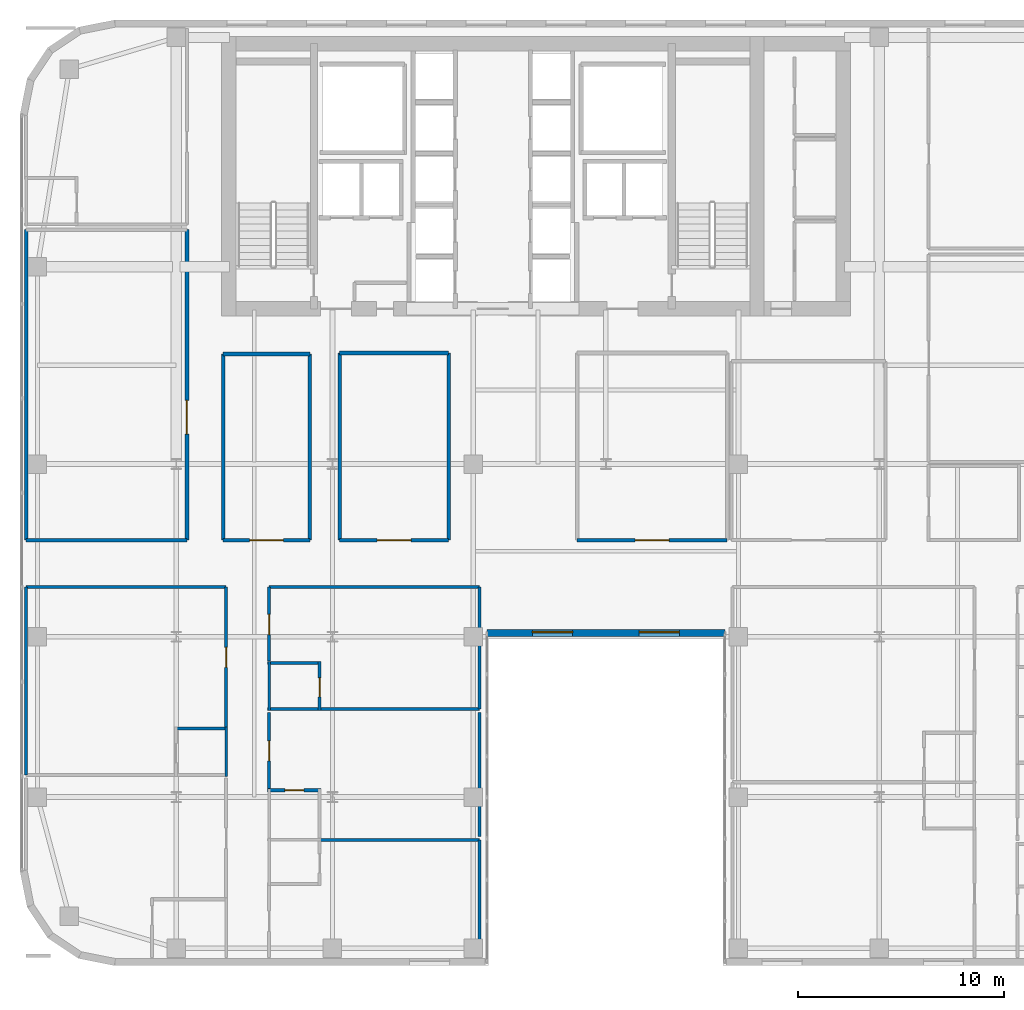
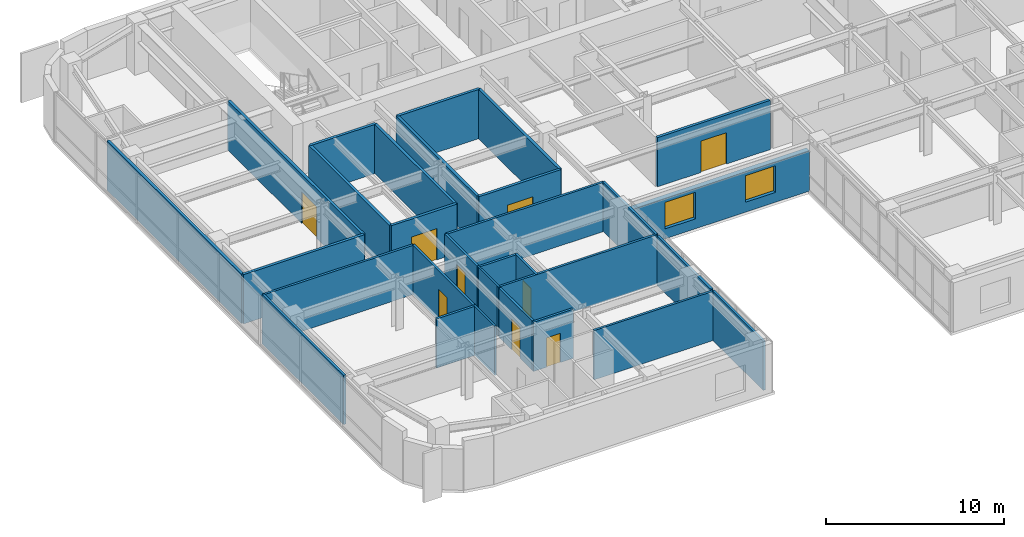
# One storey, part 24 of 30: 30 walls, 9 doors, 2 windows, 11 openings.
"""IFC4 building model written with IfcOpenShell, lengths in metres."""

from ifc_helpers import new_model, si_unit, direction, frame, frame_2d, origin, place, context, subcontext, project, spatial, rectangle, extrude, source, transform, mapped, material, layer, layer_set, type_object, type_shapes, element, fill, save


model = new_model("IFC4")

# Units and contexts
model_context = context("Model", 3, precision=1e-05, world=origin(), true_north=direction((0.0, 1.0)))
body_context = subcontext(model_context, "Body", "Model", "MODEL_VIEW")
ifc_project = project(units=[si_unit("LENGTHUNIT", "METRE"), si_unit("AREAUNIT", "SQUARE_METRE"), si_unit("VOLUMEUNIT", "CUBIC_METRE"), si_unit("PLANEANGLEUNIT", "RADIAN"), si_unit("MASSUNIT", "GRAM", prefix="KILO")], contexts=[model_context])

# Site, building, storey
site_placement = place(None, origin())
site = spatial("IfcSite", under=ifc_project, at=site_placement, CompositionType="ELEMENT")
building_placement = place(site_placement, origin())
building = spatial("IfcBuilding", under=site, at=building_placement, Name="Tolvann Quenvar Hotel", CompositionType="ELEMENT")
storey_placement = place(building_placement, frame((0.0, 0.0, 100.89990234375)))
storey = spatial("IfcBuildingStorey", under=building, at=storey_placement, Name="L25", CompositionType="ELEMENT", Elevation=100.89990234375)

# Wall, openings, windows
ifc_material_1 = material(Name="Kiln-fired red and buff architectural clay brickwork and terracotta masonry", Category="masonry")
ifc_layer_1 = layer(ifc_material_1, 0.35009765625)
ifc_layer_set_1 = layer_set([ifc_layer_1], Name="Kiln-fired red and buff architectural clay brickwork and terracotta masonry")
wall_type_1 = type_object("IfcWallType", Name="WALL_EXT_BRICK_350", PredefinedType="SOLIDWALL", material=ifc_layer_set_1)
wall_1_placement = place(storey_placement, frame((22.7099609375, 16.175048828125, 0.0), z_axis=(0.0, 0.0, 1.0), x_axis=(1.0, 0.0, 0.0)))
wall_1 = element("IfcWall", 1, at=wall_1_placement, inside=storey, type_object=wall_type_1, Name="Exterior Chicago Brick Wall L25-E06", PredefinedType="SOLIDWALL", context=body_context, shape_type="SweptSolid", body=[
    extrude(rectangle(XDim=11.580078125, YDim=0.35009765625, at=frame_2d((5.7900390625, 0.0))), origin(), (0.0, 0.0, 1.0), 2.748046875),
])
opening_1_placement = place(wall_1_placement, frame((2.219970703125, 0.0, 0.679931640625)))
opening_1 = element("IfcOpeningElement", 2, at=opening_1_placement, cuts=wall_1, Name="Opening W-10", PredefinedType="OPENING", context=body_context, shape_type="SweptSolid", body=[
    extrude(rectangle(XDim=1.949951171875, YDim=1.820068359375, at=frame_2d((0.97509765625, 0.91015625))), frame((0.0, 0.18505859375, 0.0), z_axis=(0.0, -1.0, 0.0), x_axis=(1.0, 0.0, 0.0)), (0.0, 0.0, 1.0), 0.3701171875),
])
opening_2_placement = place(wall_1_placement, frame((7.409912109375, 0.0, 0.679931640625)))
opening_2 = element("IfcOpeningElement", 3, at=opening_2_placement, cuts=wall_1, Name="Opening W-10", PredefinedType="OPENING", context=body_context, shape_type="SweptSolid", body=[
    extrude(rectangle(XDim=1.949951171875, YDim=1.820068359375, at=frame_2d((0.97509765625, 0.91015625))), frame((0.0, 0.18505859375, 0.0), z_axis=(0.0, -1.0, 0.0), x_axis=(1.0, 0.0, 0.0)), (0.0, 0.0, 1.0), 0.3701171875),
])
ifc_material_2 = material(Name="Thermally broken bronze-anodised aluminium frame with double low-E glazing", Category="aluminium")
window_type = type_object("IfcWindowType", Name="WIN_CLB_1950x1850", PartitioningType="DOUBLE_PANEL_VERTICAL", PredefinedType="WINDOW", material=ifc_material_2)
shared_shape_1 = source(origin(), body_context, "Body", "SweptSolid", [
    extrude(rectangle(XDim=1.949951171875, YDim=1.820068359375, at=frame_2d((0.97509765625, 0.91015625))), frame((0.0, 0.090087890625, 0.0), z_axis=(0.0, -1.0, 0.0), x_axis=(1.0, 0.0, 0.0)), (0.0, 0.0, 1.0), 0.06005859375),
])
type_shapes(window_type, [shared_shape_1])
window_1_placement = place(opening_1_placement, origin())
window_1 = element("IfcWindow", 4, at=window_1_placement, inside=storey, type_object=window_type, Name="Chicago Window W-10 (EW-L25-E06-W01)", OverallHeight=1.820068359375, OverallWidth=1.949951171875, PartitioningType="DOUBLE_PANEL_VERTICAL", PredefinedType="WINDOW", context=body_context, shape_type="MappedRepresentation", body=[
    mapped(shared_shape_1, transform((0.0, 0.0, 0.0), x_axis=(1.0, 0.0, 0.0), y_axis=(0.0, 1.0, 0.0), z_axis=(0.0, 0.0, 1.0), scale=1.0)),
])
fill(opening_1, window_1)
window_2_placement = place(opening_2_placement, origin())
window_2 = element("IfcWindow", 5, at=window_2_placement, inside=storey, type_object=window_type, Name="Chicago Window W-10 (EW-L25-E06-W02)", OverallHeight=1.820068359375, OverallWidth=1.949951171875, PartitioningType="DOUBLE_PANEL_VERTICAL", PredefinedType="WINDOW", context=body_context, shape_type="MappedRepresentation", body=[
    mapped(shared_shape_1, transform((0.0, 0.0, 0.0), x_axis=(1.0, 0.0, 0.0), y_axis=(0.0, 1.0, 0.0), z_axis=(0.0, 0.0, 1.0), scale=1.0)),
])
fill(opening_2, window_2)

# Wall, opening, door
ifc_material_3 = material(Name="Acoustic twin-stud fire-rated gypsum plasterboard partition")
ifc_layer_2 = layer(ifc_material_3, 0.179931640625)
ifc_layer_set_2 = layer_set([ifc_layer_2], Name="Acoustic twin-stud fire-rated gypsum plasterboard partition")
wall_type_2 = type_object("IfcWallType", Name="WALL_PART_ACOUSTIC_180", PredefinedType="PARTITIONING", material=ifc_layer_set_2)
wall_2_placement = place(storey_placement, frame((8.1201171875, 20.699951171875, 0.0), z_axis=(0.0, 0.0, 1.0), x_axis=(0.0, 1.0, 0.0)))
wall_2 = element("IfcWall", 6, at=wall_2_placement, inside=storey, type_object=wall_type_2, Name="Interior Partition PT-SPC-L25-SAL-ENT", PredefinedType="PARTITIONING", context=body_context, shape_type="SweptSolid", body=[
    extrude(rectangle(XDim=15.10009765625, YDim=0.179931640625, at=frame_2d((7.550048828125, 0.0))), origin(), (0.0, 0.0, 1.0), 3.3701171875),
])
opening_3_placement = place(wall_2_placement, frame((5.14990234375, 0.0, 0.0)))
opening_3 = element("IfcOpeningElement", 7, at=opening_3_placement, cuts=wall_2, Name="Opening AD-01", PredefinedType="OPENING", context=body_context, shape_type="SweptSolid", body=[
    extrude(rectangle(XDim=1.64990234375, YDim=2.14990234375, at=frame_2d((0.824951171875, 1.074951171875))), frame((0.0, 0.10009765625, 0.0), z_axis=(0.0, -1.0, 0.0), x_axis=(1.0, 0.0, 0.0)), (0.0, 0.0, 1.0), 0.199951171875),
])
ifc_material_4 = material(Name="Solid-core American oak acoustic fire door leaf in steel frame", Category="steel")
door_type_1 = type_object("IfcDoorType", Name="DOOR_SALON_1650", OperationType="NOTDEFINED", PredefinedType="DOOR", material=ifc_material_4)
shared_shape_2 = source(origin(), body_context, "Body", "SweptSolid", [
    extrude(rectangle(XDim=1.64990234375, YDim=2.14990234375, at=frame_2d((0.824951171875, 1.074951171875))), frame((0.0, 0.02490234375, 0.0), z_axis=(0.0, -1.0, 0.0), x_axis=(1.0, 0.0, 0.0)), (0.0, 0.0, 1.0), 0.050048828125),
])
type_shapes(door_type_1, [shared_shape_2])
door_1_placement = place(opening_3_placement, origin())
door_1 = element("IfcDoor", 8, at=door_1_placement, inside=storey, type_object=door_type_1, Name="Interior Door DOOR-SPC-L25-SAL", OperationType="DOUBLE_DOOR_SINGLE_SWING", OverallHeight=2.14990234375, OverallWidth=1.64990234375, PredefinedType="DOOR", context=body_context, shape_type="MappedRepresentation", body=[
    mapped(shared_shape_2, transform((0.0, 0.0, 0.0), x_axis=(1.0, 0.0, 0.0), y_axis=(0.0, 1.0, 0.0), z_axis=(0.0, 0.0, 1.0), scale=1.0)),
])
fill(opening_3, door_1)

# Walls
wall_3_placement = place(storey_placement, frame((0.300048828125, 20.699951171875, 0.0), z_axis=(0.0, 0.0, 1.0), x_axis=(1.0, 0.0, 0.0)))
element("IfcWall", 9, at=wall_3_placement, inside=storey, type_object=wall_type_2, Name="Interior Partition PT-SPC-L25-SAL-S", PredefinedType="PARTITIONING", context=body_context, shape_type="SweptSolid", body=[
    extrude(rectangle(XDim=7.820068359375, YDim=0.179931640625, at=frame_2d((3.91015625, 0.0))), origin(), (0.0, 0.0, 1.0), 3.3701171875),
])
wall_4_placement = place(storey_placement, frame((0.300048828125, 20.699951171875, 0.0), z_axis=(0.0, 0.0, 1.0), x_axis=(0.0, 1.0, 0.0)))
element("IfcWall", 10, at=wall_4_placement, inside=storey, type_object=wall_type_2, Name="Interior Partition PT-SPC-L25-SAL-W", PredefinedType="PARTITIONING", context=body_context, shape_type="SweptSolid", body=[
    extrude(rectangle(XDim=15.10009765625, YDim=0.179931640625, at=frame_2d((7.550048828125, 0.0))), origin(), (0.0, 0.0, 1.0), 3.3701171875),
])

# Wall, opening, door
wall_5_placement = place(storey_placement, frame((9.8798828125, 20.699951171875, 0.0), z_axis=(0.0, 0.0, 1.0), x_axis=(1.0, 0.0, 0.0)))
wall_5 = element("IfcWall", 11, at=wall_5_placement, inside=storey, type_object=wall_type_2, Name="Interior Partition PT-SPC-L25-MSP-W-S", PredefinedType="PARTITIONING", context=body_context, shape_type="SweptSolid", body=[
    extrude(rectangle(XDim=4.22021484375, YDim=0.179931640625, at=frame_2d((2.110107421875, 0.0))), origin(), (0.0, 0.0, 1.0), 3.3701171875),
])
opening_4_placement = place(wall_5_placement, frame((1.284912109375, 0.0, 0.0)))
opening_4 = element("IfcOpeningElement", 12, at=opening_4_placement, cuts=wall_5, Name="Opening AD-01", PredefinedType="OPENING", context=body_context, shape_type="SweptSolid", body=[
    extrude(rectangle(XDim=1.64990234375, YDim=2.14990234375, at=frame_2d((0.824951171875, 1.074951171875))), frame((0.0, 0.10009765625, 0.0), z_axis=(0.0, -1.0, 0.0), x_axis=(1.0, 0.0, 0.0)), (0.0, 0.0, 1.0), 0.199951171875),
])
door_2_placement = place(opening_4_placement, origin())
door_2 = element("IfcDoor", 13, at=door_2_placement, inside=storey, type_object=door_type_1, Name="Interior Door DOOR-SPC-L25-MSP-W", OperationType="DOUBLE_DOOR_SINGLE_SWING", OverallHeight=2.14990234375, OverallWidth=1.64990234375, PredefinedType="DOOR", context=body_context, shape_type="MappedRepresentation", body=[
    mapped(shared_shape_2, transform((0.0, 0.0, 0.0), x_axis=(1.0, 0.0, 0.0), y_axis=(0.0, 1.0, 0.0), z_axis=(0.0, 0.0, 1.0), scale=1.0)),
])
fill(opening_4, door_2)

# Walls
wall_6_placement = place(storey_placement, frame((9.8798828125, 29.75, 0.0), z_axis=(0.0, 0.0, 1.0), x_axis=(1.0, 0.0, 0.0)))
element("IfcWall", 14, at=wall_6_placement, inside=storey, type_object=wall_type_2, Name="Interior Partition PT-SPC-L25-MSP-W-N", PredefinedType="PARTITIONING", context=body_context, shape_type="SweptSolid", body=[
    extrude(rectangle(XDim=4.22021484375, YDim=0.179931640625, at=frame_2d((2.110107421875, 0.0))), origin(), (0.0, 0.0, 1.0), 3.3701171875),
])
for number, where, z_axis, x_axis, name in (
    (15, (9.8798828125, 20.699951171875, 0.0), (0.0, 0.0, 1.0), (0.0, 1.0, 0.0), "Interior Partition PT-SPC-L25-MSP-W-W"),
    (16, (14.10009765625, 20.699951171875, 0.0), (0.0, 0.0, 1.0), (0.0, 1.0, 0.0), "Interior Partition PT-SPC-L25-MSP-W-E"),
):
    element("IfcWall", number, at=place(storey_placement, frame(where, z_axis=z_axis, x_axis=x_axis)), inside=storey, type_object=wall_type_2, Name=name, PredefinedType="PARTITIONING", context=body_context, shape_type="SweptSolid", body=[
        extrude(rectangle(XDim=9.050048828125, YDim=0.179931640625, at=frame_2d((4.52490234375, 0.0))), origin(), (0.0, 0.0, 1.0), 3.3701171875),
    ])

# Wall, opening, door
wall_7_placement = place(storey_placement, frame((27.10009765625, 20.699951171875, 0.0), z_axis=(0.0, 0.0, 1.0), x_axis=(1.0, 0.0, 0.0)))
wall_7 = element("IfcWall", 17, at=wall_7_placement, inside=storey, type_object=wall_type_2, Name="Interior Partition PT-SPC-L25-MSP-C-S", PredefinedType="PARTITIONING", context=body_context, shape_type="SweptSolid", body=[
    extrude(rectangle(XDim=7.2998046875, YDim=0.179931640625, at=frame_2d((3.64990234375, 0.0))), origin(), (0.0, 0.0, 1.0), 3.3701171875),
])
opening_5_placement = place(wall_7_placement, frame((2.824951171875, 0.0, 0.0)))
opening_5 = element("IfcOpeningElement", 18, at=opening_5_placement, cuts=wall_7, Name="Opening AD-01", PredefinedType="OPENING", context=body_context, shape_type="SweptSolid", body=[
    extrude(rectangle(XDim=1.64990234375, YDim=2.14990234375, at=frame_2d((0.824951171875, 1.074951171875))), frame((0.0, 0.10009765625, 0.0), z_axis=(0.0, -1.0, 0.0), x_axis=(1.0, 0.0, 0.0)), (0.0, 0.0, 1.0), 0.199951171875),
])
door_3_placement = place(opening_5_placement, origin())
door_3 = element("IfcDoor", 19, at=door_3_placement, inside=storey, type_object=door_type_1, Name="Interior Door DOOR-SPC-L25-MSP-C", OperationType="DOUBLE_DOOR_SINGLE_SWING", OverallHeight=2.14990234375, OverallWidth=1.64990234375, PredefinedType="DOOR", context=body_context, shape_type="MappedRepresentation", body=[
    mapped(shared_shape_2, transform((0.0, 0.0, 0.0), x_axis=(1.0, 0.0, 0.0), y_axis=(0.0, 1.0, 0.0), z_axis=(0.0, 0.0, 1.0), scale=1.0)),
])
fill(opening_5, door_3)

wall_8_placement = place(storey_placement, frame((15.550048828125, 20.699951171875, 0.0), z_axis=(0.0, 0.0, 1.0), x_axis=(1.0, 0.0, 0.0)))
wall_8 = element("IfcWall", 20, at=wall_8_placement, inside=storey, type_object=wall_type_2, Name="Interior Partition PT-SPC-L25-MSP-N-S", PredefinedType="PARTITIONING", context=body_context, shape_type="SweptSolid", body=[
    extrude(rectangle(XDim=5.300048828125, YDim=0.179931640625, at=frame_2d((2.64990234375, 0.0))), origin(), (0.0, 0.0, 1.0), 3.3701171875),
])
opening_6_placement = place(wall_8_placement, frame((1.824951171875, 0.0, 0.0)))
opening_6 = element("IfcOpeningElement", 21, at=opening_6_placement, cuts=wall_8, Name="Opening AD-01", PredefinedType="OPENING", context=body_context, shape_type="SweptSolid", body=[
    extrude(rectangle(XDim=1.64990234375, YDim=2.14990234375, at=frame_2d((0.824951171875, 1.074951171875))), frame((0.0, 0.10009765625, 0.0), z_axis=(0.0, -1.0, 0.0), x_axis=(1.0, 0.0, 0.0)), (0.0, 0.0, 1.0), 0.199951171875),
])
door_4_placement = place(opening_6_placement, origin())
door_4 = element("IfcDoor", 22, at=door_4_placement, inside=storey, type_object=door_type_1, Name="Interior Door DOOR-SPC-L25-MSP-N", OperationType="DOUBLE_DOOR_SINGLE_SWING", OverallHeight=2.14990234375, OverallWidth=1.64990234375, PredefinedType="DOOR", context=body_context, shape_type="MappedRepresentation", body=[
    mapped(shared_shape_2, transform((0.0, 0.0, 0.0), x_axis=(1.0, 0.0, 0.0), y_axis=(0.0, 1.0, 0.0), z_axis=(0.0, 0.0, 1.0), scale=1.0)),
])
fill(opening_6, door_4)

# Walls
wall_9_placement = place(storey_placement, frame((15.550048828125, 29.800048828125, 0.0), z_axis=(0.0, 0.0, 1.0), x_axis=(1.0, 0.0, 0.0)))
element("IfcWall", 23, at=wall_9_placement, inside=storey, type_object=wall_type_2, Name="Interior Partition PT-SPC-L25-MSP-N-N", PredefinedType="PARTITIONING", context=body_context, shape_type="SweptSolid", body=[
    extrude(rectangle(XDim=5.300048828125, YDim=0.179931640625, at=frame_2d((2.64990234375, 0.0))), origin(), (0.0, 0.0, 1.0), 3.3701171875),
])
for number, where, z_axis, x_axis, name in (
    (24, (15.550048828125, 20.699951171875, 0.0), (0.0, 0.0, 1.0), (0.0, 1.0, 0.0), "Interior Partition PT-SPC-L25-MSP-N-W"),
    (25, (20.85009765625, 20.699951171875, 0.0), (0.0, 0.0, 1.0), (0.0, 1.0, 0.0), "Interior Partition PT-SPC-L25-MSP-N-E"),
):
    element("IfcWall", number, at=place(storey_placement, frame(where, z_axis=z_axis, x_axis=x_axis)), inside=storey, type_object=wall_type_2, Name=name, PredefinedType="PARTITIONING", context=body_context, shape_type="SweptSolid", body=[
        extrude(rectangle(XDim=9.10009765625, YDim=0.179931640625, at=frame_2d((4.550048828125, 0.0))), origin(), (0.0, 0.0, 1.0), 3.3701171875),
    ])
ifc_material_5 = material(Name="Moisture-resistant acoustic plumbing wall assembly")
ifc_layer_3 = layer(ifc_material_5, 0.1201171875)
ifc_layer_set_3 = layer_set([ifc_layer_3], Name="Moisture-resistant acoustic plumbing wall assembly")
wall_type_3 = type_object("IfcWallType", Name="WALL_PART_BATH_120", PredefinedType="PLUMBINGWALL", material=ifc_layer_set_3)
for number, where, z_axis, x_axis, name in (
    (26, (10.030029296875, 9.2099609375, 0.0), (0.0, 0.0, 1.0), (0.0, 1.0, 0.0), "Non-Rated Plumbing Partition PT-SPC-L25-ENS-WO02-E"),
    (27, (12.1201171875, 12.409912109375, 0.0), (0.0, 0.0, 1.0), (0.0, 1.0, 0.0), "Non-Rated Plumbing Partition PT-SPC-L25-ENS-WI03-W"),
):
    element("IfcWall", number, at=place(storey_placement, frame(where, z_axis=z_axis, x_axis=x_axis)), inside=storey, type_object=wall_type_3, Name=name, PredefinedType="PLUMBINGWALL", context=body_context, shape_type="SweptSolid", body=[
        extrude(rectangle(XDim=2.39013671875, YDim=0.1201171875, at=frame_2d((1.195068359375, 0.0))), origin(), (0.0, 0.0, 1.0), 3.3701171875),
    ])
ifc_layer_4 = layer(ifc_material_3, 0.14990234375)
ifc_layer_set_4 = layer_set([ifc_layer_4], Name="Acoustic twin-stud fire-rated gypsum plasterboard partition")
wall_type_4 = type_object("IfcWallType", Name="WALL_PART_SUITE_150", PredefinedType="PARTITIONING", material=ifc_layer_set_4)
wall_10_placement = place(storey_placement, frame((7.510009765625, 11.530029296875, 0.0), z_axis=(0.0, 0.0, 1.0), x_axis=(1.0, 0.0, 0.0)))
element("IfcWall", 28, at=wall_10_placement, inside=storey, type_object=wall_type_4, Name="Interior Partition PT-SPC-L25-ENS-WO02-N", PredefinedType="PARTITIONING", context=body_context, shape_type="SweptSolid", body=[
    extrude(rectangle(XDim=2.590087890625, YDim=0.14990234375, at=frame_2d((1.294921875, 0.0))), origin(), (0.0, 0.0, 1.0), 3.3701171875),
])

# Wall, opening, door
wall_11_placement = place(storey_placement, frame((12.050048828125, 8.530029296875, 0.0), z_axis=(0.0, 0.0, 1.0), x_axis=(1.0, 0.0, 0.0)))
wall_11 = element("IfcWall", 29, at=wall_11_placement, inside=storey, type_object=wall_type_4, Name="Interior Partition PT-SPC-L25-ENS-WI02-N", PredefinedType="PARTITIONING", context=body_context, shape_type="SweptSolid", body=[
    extrude(rectangle(XDim=2.58984375, YDim=0.14990234375, at=frame_2d((1.294921875, 0.0))), origin(), (0.0, 0.0, 1.0), 3.3701171875),
])
opening_7_placement = place(wall_11_placement, frame((0.8349609375, 0.0, 0.0)))
opening_7 = element("IfcOpeningElement", 30, at=opening_7_placement, cuts=wall_11, Name="Opening WD-01", PredefinedType="OPENING", context=body_context, shape_type="SweptSolid", body=[
    extrude(rectangle(XDim=0.919921875, YDim=2.010009765625, at=frame_2d((0.4599609375, 1.0048828125))), frame((0.0, 0.0849609375, 0.0), z_axis=(0.0, -1.0, 0.0), x_axis=(1.0, 0.0, 0.0)), (0.0, 0.0, 1.0), 0.169921875),
])
door_type_2 = type_object("IfcDoorType", Name="DOOR_WC_920", OperationType="NOTDEFINED", PredefinedType="DOOR", material=ifc_material_4)
shared_shape_3 = source(origin(), body_context, "Body", "SweptSolid", [
    extrude(rectangle(XDim=0.919921875, YDim=2.010009765625, at=frame_2d((0.4599609375, 1.0048828125))), frame((0.0, 0.02490234375, 0.0), z_axis=(0.0, -1.0, 0.0), x_axis=(1.0, 0.0, 0.0)), (0.0, 0.0, 1.0), 0.050048828125),
])
type_shapes(door_type_2, [shared_shape_3])
door_5_placement = place(opening_7_placement, origin())
door_5 = element("IfcDoor", 31, at=door_5_placement, inside=storey, type_object=door_type_2, Name="Interior Door DOOR-SPC-L25-ENS-WI02", OperationType="SINGLE_SWING_RIGHT", OverallHeight=2.010009765625, OverallWidth=0.919921875, PredefinedType="DOOR", context=body_context, shape_type="MappedRepresentation", body=[
    mapped(shared_shape_3, transform((0.0, 0.0, 0.0), x_axis=(1.0, 0.0, 0.0), y_axis=(0.0, 1.0, 0.0), z_axis=(0.0, 0.0, 1.0), scale=1.0)),
])
fill(opening_7, door_5)

wall_12_placement = place(storey_placement, frame((14.570068359375, 12.409912109375, 0.0), z_axis=(0.0, 0.0, 1.0), x_axis=(0.0, 1.0, 0.0)))
wall_12 = element("IfcWall", 32, at=wall_12_placement, inside=storey, type_object=wall_type_4, Name="Interior Partition PT-SPC-L25-ENS-WI03-ENT", PredefinedType="PARTITIONING", context=body_context, shape_type="SweptSolid", body=[
    extrude(rectangle(XDim=2.39013671875, YDim=0.14990234375, at=frame_2d((1.195068359375, 0.0))), origin(), (0.0, 0.0, 1.0), 3.3701171875),
])
opening_8_placement = place(wall_12_placement, frame((0.6650390625, 0.0, 0.0)))
opening_8 = element("IfcOpeningElement", 33, at=opening_8_placement, cuts=wall_12, Name="Opening WD-01", PredefinedType="OPENING", context=body_context, shape_type="SweptSolid", body=[
    extrude(rectangle(XDim=0.919921875, YDim=2.010009765625, at=frame_2d((0.4599609375, 1.0048828125))), frame((0.0, 0.0849609375, 0.0), z_axis=(0.0, -1.0, 0.0), x_axis=(1.0, 0.0, 0.0)), (0.0, 0.0, 1.0), 0.169921875),
])
door_6_placement = place(opening_8_placement, origin())
door_6 = element("IfcDoor", 34, at=door_6_placement, inside=storey, type_object=door_type_2, Name="Interior Door DOOR-SPC-L25-ENS-WI03", OperationType="SINGLE_SWING_LEFT", OverallHeight=2.010009765625, OverallWidth=0.919921875, PredefinedType="DOOR", context=body_context, shape_type="MappedRepresentation", body=[
    mapped(shared_shape_3, transform((0.0, 0.0, 0.0), x_axis=(1.0, 0.0, 0.0), y_axis=(0.0, 1.0, 0.0), z_axis=(0.0, 0.0, 1.0), scale=1.0)),
])
fill(opening_8, door_6)

# Walls
wall_13_placement = place(storey_placement, frame((12.050048828125, 12.47998046875, 0.0), z_axis=(0.0, 0.0, 1.0), x_axis=(1.0, 0.0, 0.0)))
element("IfcWall", 35, at=wall_13_placement, inside=storey, type_object=wall_type_4, Name="Interior Partition PT-SPC-L25-ENS-WI03-S", PredefinedType="PARTITIONING", context=body_context, shape_type="SweptSolid", body=[
    extrude(rectangle(XDim=10.300048828125, YDim=0.14990234375, at=frame_2d((5.14990234375, 0.0))), origin(), (0.0, 0.0, 1.0), 3.3701171875),
])
wall_14_placement = place(storey_placement, frame((12.050048828125, 14.72998046875, 0.0), z_axis=(0.0, 0.0, 1.0), x_axis=(1.0, 0.0, 0.0)))
element("IfcWall", 36, at=wall_14_placement, inside=storey, type_object=wall_type_4, Name="Interior Partition PT-SPC-L25-ENS-WI03-N", PredefinedType="PARTITIONING", context=body_context, shape_type="SweptSolid", body=[
    extrude(rectangle(XDim=2.58984375, YDim=0.14990234375, at=frame_2d((1.294921875, 0.0))), origin(), (0.0, 0.0, 1.0), 3.3701171875),
])

# Wall, opening, door
wall_15_placement = place(storey_placement, frame((10.030029296875, 11.610107421875, 0.0), z_axis=(0.0, 0.0, 1.0), x_axis=(0.0, 1.0, 0.0)))
wall_15 = element("IfcWall", 37, at=wall_15_placement, inside=storey, type_object=wall_type_4, Name="Interior Partition PT-SPC-L25-RM-WO02-ENT", PredefinedType="PARTITIONING", context=body_context, shape_type="SweptSolid", body=[
    extrude(rectangle(XDim=6.809814453125, YDim=0.14990234375, at=frame_2d((3.40478515625, 0.0))), origin(), (0.0, 0.0, 1.0), 3.3701171875),
])
opening_9_placement = place(wall_15_placement, frame((2.89501953125, 0.0, 0.0)))
opening_9 = element("IfcOpeningElement", 38, at=opening_9_placement, cuts=wall_15, Name="Opening SD-01", PredefinedType="OPENING", context=body_context, shape_type="SweptSolid", body=[
    extrude(rectangle(XDim=0.97998046875, YDim=2.1201171875, at=frame_2d((0.489990234375, 1.06005859375))), frame((0.0, 0.0849609375, 0.0), z_axis=(0.0, -1.0, 0.0), x_axis=(1.0, 0.0, 0.0)), (0.0, 0.0, 1.0), 0.169921875),
])
door_type_3 = type_object("IfcDoorType", Name="DOOR_SUITE_980", OperationType="NOTDEFINED", PredefinedType="DOOR", material=ifc_material_4)
shared_shape_4 = source(origin(), body_context, "Body", "SweptSolid", [
    extrude(rectangle(XDim=0.97998046875, YDim=2.1201171875, at=frame_2d((0.489990234375, 1.06005859375))), frame((0.0, 0.02490234375, 0.0), z_axis=(0.0, -1.0, 0.0), x_axis=(1.0, 0.0, 0.0)), (0.0, 0.0, 1.0), 0.050048828125),
])
type_shapes(door_type_3, [shared_shape_4])
door_7_placement = place(opening_9_placement, origin())
door_7 = element("IfcDoor", 39, at=door_7_placement, inside=storey, type_object=door_type_3, Name="Interior Door DOOR-SPC-L25-RM-WO02", OperationType="SINGLE_SWING_LEFT", OverallHeight=2.1201171875, OverallWidth=0.97998046875, PredefinedType="DOOR", context=body_context, shape_type="MappedRepresentation", body=[
    mapped(shared_shape_4, transform((0.0, 0.0, 0.0), x_axis=(1.0, 0.0, 0.0), y_axis=(0.0, 1.0, 0.0), z_axis=(0.0, 0.0, 1.0), scale=1.0)),
])
fill(opening_9, door_7)

# Walls
wall_16_placement = place(storey_placement, frame((0.300048828125, 18.419921875, 0.0), z_axis=(0.0, 0.0, 1.0), x_axis=(1.0, 0.0, 0.0)))
element("IfcWall", 40, at=wall_16_placement, inside=storey, type_object=wall_type_4, Name="Interior Partition PT-SPC-L25-RM-WO02-E5", PredefinedType="PARTITIONING", context=body_context, shape_type="SweptSolid", body=[
    extrude(rectangle(XDim=9.72998046875, YDim=0.14990234375, at=frame_2d((4.864990234375, 0.0))), origin(), (0.0, 0.0, 1.0), 3.3701171875),
])
wall_17_placement = place(storey_placement, frame((0.300048828125, 9.280029296875, 0.0), z_axis=(0.0, 0.0, 1.0), x_axis=(0.0, 1.0, 0.0)))
element("IfcWall", 41, at=wall_17_placement, inside=storey, type_object=wall_type_4, Name="Interior Partition PT-SPC-L25-RM-WO02-E6", PredefinedType="PARTITIONING", context=body_context, shape_type="SweptSolid", body=[
    extrude(rectangle(XDim=9.139892578125, YDim=0.14990234375, at=frame_2d((4.56982421875, 0.0))), origin(), (0.0, 0.0, 1.0), 3.3701171875),
])
wall_18_placement = place(storey_placement, frame((22.35009765625, 0.405029296875, 0.0), z_axis=(0.0, 0.0, 1.0), x_axis=(0.0, 1.0, 0.0)))
element("IfcWall", 42, at=wall_18_placement, inside=storey, type_object=wall_type_4, Name="Interior Partition PT-SPC-L25-RM-WI01-E2", PredefinedType="PARTITIONING", context=body_context, shape_type="SweptSolid", body=[
    extrude(rectangle(XDim=5.715087890625, YDim=0.14990234375, at=frame_2d((2.857421875, 0.0))), origin(), (0.0, 0.0, 1.0), 3.3701171875),
])
wall_19_placement = place(storey_placement, frame((14.590087890625, 6.1201171875, 0.0), z_axis=(0.0, 0.0, 1.0), x_axis=(1.0, 0.0, 0.0)))
element("IfcWall", 43, at=wall_19_placement, inside=storey, type_object=wall_type_4, Name="Interior Partition PT-SPC-L25-RM-WI01-E3", PredefinedType="PARTITIONING", context=body_context, shape_type="SweptSolid", body=[
    extrude(rectangle(XDim=7.760009765625, YDim=0.14990234375, at=frame_2d((3.8798828125, 0.0))), origin(), (0.0, 0.0, 1.0), 3.3701171875),
])

# Wall, opening, door
wall_20_placement = place(storey_placement, frame((12.1201171875, 8.610107421875, 0.0), z_axis=(0.0, 0.0, 1.0), x_axis=(0.0, 1.0, 0.0)))
wall_20 = element("IfcWall", 44, at=wall_20_placement, inside=storey, type_object=wall_type_4, Name="Interior Partition PT-SPC-L25-RM-WI02-ENT", PredefinedType="PARTITIONING", context=body_context, shape_type="SweptSolid", body=[
    extrude(rectangle(XDim=3.7099609375, YDim=0.14990234375, at=frame_2d((1.85498046875, 0.0))), origin(), (0.0, 0.0, 1.0), 3.3701171875),
])
opening_10_placement = place(wall_20_placement, frame((1.344970703125, 0.0, 0.0)))
opening_10 = element("IfcOpeningElement", 45, at=opening_10_placement, cuts=wall_20, Name="Opening SD-01", PredefinedType="OPENING", context=body_context, shape_type="SweptSolid", body=[
    extrude(rectangle(XDim=0.97998046875, YDim=2.1201171875, at=frame_2d((0.489990234375, 1.06005859375))), frame((0.0, 0.0849609375, 0.0), z_axis=(0.0, -1.0, 0.0), x_axis=(1.0, 0.0, 0.0)), (0.0, 0.0, 1.0), 0.169921875),
])
door_8_placement = place(opening_10_placement, origin())
door_8 = element("IfcDoor", 46, at=door_8_placement, inside=storey, type_object=door_type_3, Name="Interior Door DOOR-SPC-L25-RM-WI02", OperationType="SINGLE_SWING_LEFT", OverallHeight=2.1201171875, OverallWidth=0.97998046875, PredefinedType="DOOR", context=body_context, shape_type="MappedRepresentation", body=[
    mapped(shared_shape_4, transform((0.0, 0.0, 0.0), x_axis=(1.0, 0.0, 0.0), y_axis=(0.0, 1.0, 0.0), z_axis=(0.0, 0.0, 1.0), scale=1.0)),
])
fill(opening_10, door_8)

# Wall
wall_21_placement = place(storey_placement, frame((22.35009765625, 6.280029296875, 0.0), z_axis=(0.0, 0.0, 1.0), x_axis=(0.0, 1.0, 0.0)))
element("IfcWall", 47, at=wall_21_placement, inside=storey, type_object=wall_type_4, Name="Interior Partition PT-SPC-L25-RM-WI02-E4", PredefinedType="PARTITIONING", context=body_context, shape_type="SweptSolid", body=[
    extrude(rectangle(XDim=6.0400390625, YDim=0.14990234375, at=frame_2d((3.02001953125, 0.0))), origin(), (0.0, 0.0, 1.0), 3.3701171875),
])

# Wall, opening, door
wall_22_placement = place(storey_placement, frame((12.1201171875, 14.81005859375, 0.0), z_axis=(0.0, 0.0, 1.0), x_axis=(0.0, 1.0, 0.0)))
wall_22 = element("IfcWall", 48, at=wall_22_placement, inside=storey, type_object=wall_type_4, Name="Interior Partition PT-SPC-L25-RM-WI03-ENT", PredefinedType="PARTITIONING", context=body_context, shape_type="SweptSolid", body=[
    extrude(rectangle(XDim=3.60986328125, YDim=0.14990234375, at=frame_2d((1.804931640625, 0.0))), origin(), (0.0, 0.0, 1.0), 3.3701171875),
])
opening_11_placement = place(wall_22_placement, frame((1.294921875, 0.0, 0.0)))
opening_11 = element("IfcOpeningElement", 49, at=opening_11_placement, cuts=wall_22, Name="Opening SD-01", PredefinedType="OPENING", context=body_context, shape_type="SweptSolid", body=[
    extrude(rectangle(XDim=0.97998046875, YDim=2.1201171875, at=frame_2d((0.489990234375, 1.06005859375))), frame((0.0, 0.0849609375, 0.0), z_axis=(0.0, -1.0, 0.0), x_axis=(1.0, 0.0, 0.0)), (0.0, 0.0, 1.0), 0.169921875),
])
door_9_placement = place(opening_11_placement, origin())
door_9 = element("IfcDoor", 50, at=door_9_placement, inside=storey, type_object=door_type_3, Name="Interior Door DOOR-SPC-L25-RM-WI03", OperationType="SINGLE_SWING_RIGHT", OverallHeight=2.1201171875, OverallWidth=0.97998046875, PredefinedType="DOOR", context=body_context, shape_type="MappedRepresentation", body=[
    mapped(shared_shape_4, transform((0.0, 0.0, 0.0), x_axis=(1.0, 0.0, 0.0), y_axis=(0.0, 1.0, 0.0), z_axis=(0.0, 0.0, 1.0), scale=1.0)),
])
fill(opening_11, door_9)

# Walls
wall_23_placement = place(storey_placement, frame((22.35009765625, 12.47998046875, 0.0), z_axis=(0.0, 0.0, 1.0), x_axis=(0.0, 1.0, 0.0)))
element("IfcWall", 51, at=wall_23_placement, inside=storey, type_object=wall_type_4, Name="Interior Partition PT-SPC-L25-RM-WI03-E4", PredefinedType="PARTITIONING", context=body_context, shape_type="SweptSolid", body=[
    extrude(rectangle(XDim=5.93994140625, YDim=0.14990234375, at=frame_2d((2.969970703125, 0.0))), origin(), (0.0, 0.0, 1.0), 3.3701171875),
])
wall_24_placement = place(storey_placement, frame((12.1201171875, 18.419921875, 0.0), z_axis=(0.0, 0.0, 1.0), x_axis=(1.0, 0.0, 0.0)))
element("IfcWall", 52, at=wall_24_placement, inside=storey, type_object=wall_type_4, Name="Interior Partition PT-SPC-L25-RM-WI03-E5", PredefinedType="PARTITIONING", context=body_context, shape_type="SweptSolid", body=[
    extrude(rectangle(XDim=10.22998046875, YDim=0.14990234375, at=frame_2d((5.114990234375, 0.0))), origin(), (0.0, 0.0, 1.0), 3.3701171875),
])

save(model, "model.ifc")
